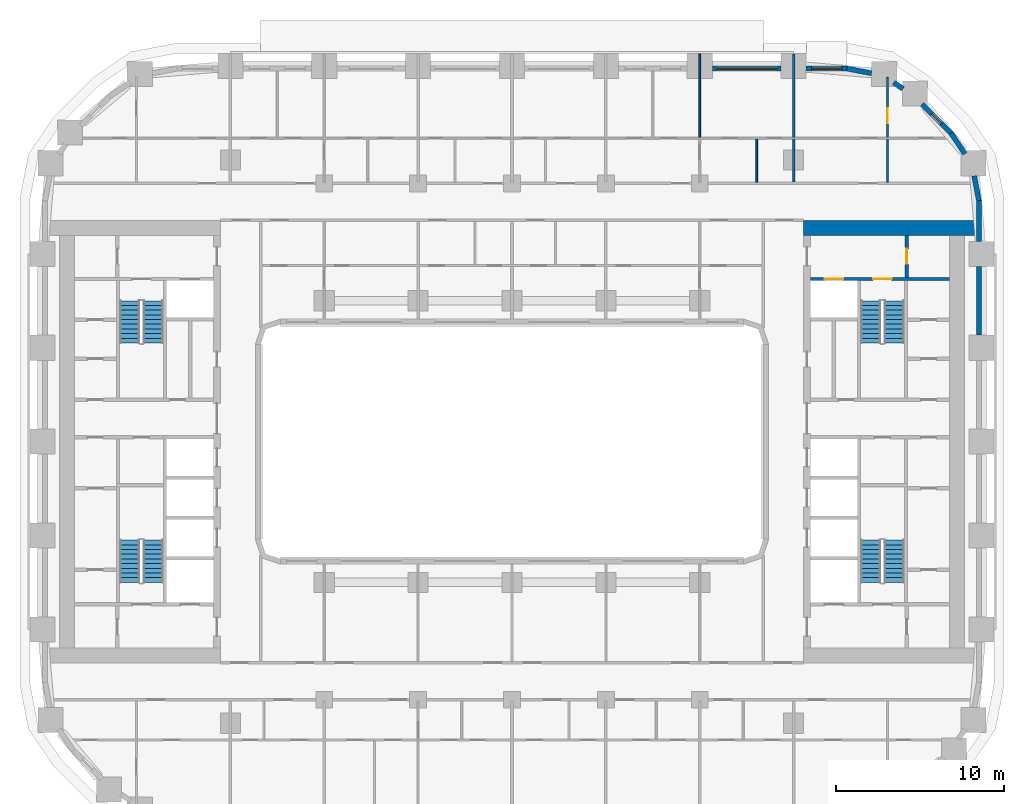
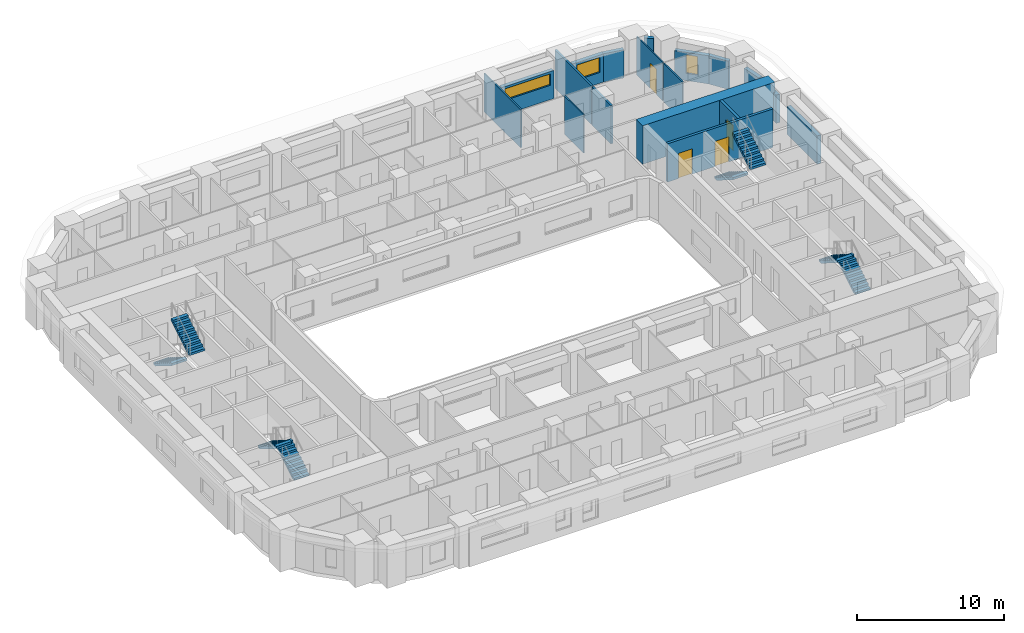
# One storey, part 10 of 21: 18 walls, 8 stair flights, 4 doors, 3 windows, 7 openings, 4 elements without a shape of their own.
"""IFC4 building model written with IfcOpenShell, lengths in metres."""

from ifc_helpers import new_model, si_unit, direction, frame, frame_2d, origin, place, context, subcontext, project, spatial, polyline, rectangle, outline, extrude, material, layer, layer_set, type_object, element, fill, aggregate, save


model = new_model("IFC4")

# Units and contexts
model_context = context("Model", 3, precision=1e-05, world=origin(), true_north=direction((0.0, 1.0)))
body_context = subcontext(model_context, "Body", "Model", "MODEL_VIEW")
ifc_project = project(units=[si_unit("LENGTHUNIT", "METRE"), si_unit("AREAUNIT", "SQUARE_METRE"), si_unit("VOLUMEUNIT", "CUBIC_METRE"), si_unit("PLANEANGLEUNIT", "RADIAN"), si_unit("MASSUNIT", "GRAM", prefix="KILO")], contexts=[model_context])

# Site, building, storey
site_placement = place(None, origin())
site = spatial("IfcSite", under=ifc_project, at=site_placement, CompositionType="ELEMENT")
building_placement = place(site_placement, origin())
building = spatial("IfcBuilding", under=site, at=building_placement, Name="Kiln Ring Residences", CompositionType="ELEMENT")
storey_placement = place(building_placement, frame((0.0, 0.0, 48.0)))
storey = spatial("IfcBuildingStorey", under=building, at=storey_placement, Name="L11", CompositionType="ELEMENT", Elevation=48.0)

# Wall, opening, door
ifc_material_1 = material(Name="Gypsum board on steel studs", Category="steel")
ifc_layer_1 = layer(ifc_material_1, 0.199951171875)
ifc_layer_set_1 = layer_set([ifc_layer_1], Name="CORE-PARTITION-200")
wall_type_1 = type_object("IfcWallType", Name="CORE-PARTITION-200", PredefinedType="PARTITIONING", material=ifc_layer_set_1)
wall_1_placement = place(storey_placement, frame((23.550048828125, 9.800048828125, 0.0), z_axis=(0.0, 0.0, 1.0), x_axis=(0.0, 1.0, 0.0)))
wall_1 = element("IfcWall", 1, at=wall_1_placement, inside=storey, type_object=wall_type_1, Name="Core partition east L11 4", PredefinedType="PARTITIONING", context=body_context, shape_type="SweptSolid", body=[
    extrude(rectangle(XDim=2.5, YDim=0.199951171875, at=frame_2d((1.25, 0.0))), origin(), (0.0, 0.0, 1.0), 3.199951171875),
])
opening_1_placement = place(wall_1_placement, frame((0.800048828125, 0.0, 0.0)))
opening_1 = element("IfcOpeningElement", 2, at=opening_1_placement, cuts=wall_1, Name="Opening L11-CE10", PredefinedType="OPENING", context=body_context, shape_type="SweptSolid", body=[
    extrude(rectangle(XDim=0.89990234375, YDim=2.10009765625, at=frame_2d((0.449951171875, 1.050048828125))), frame((0.0, 0.10986328125, 0.0), z_axis=(0.0, -1.0, 0.0), x_axis=(1.0, 0.0, 0.0)), (0.0, 0.0, 1.0), 0.219970703125),
])
ifc_material_2 = material(Name="Steel door leaf", Category="steel")
door_type_1 = type_object("IfcDoorType", Name="CORE-DOOR-ROOM", OperationType="SINGLE_SWING_LEFT", PredefinedType="DOOR", material=ifc_material_2)
door_1_placement = place(opening_1_placement, origin())
door_1 = element("IfcDoor", 3, at=door_1_placement, inside=storey, type_object=door_type_1, Name="Fire riser room L11-CE10", OperationType="SINGLE_SWING_LEFT", OverallHeight=2.10009765625, OverallWidth=0.89990234375, PredefinedType="DOOR", context=body_context, shape_type="SweptSolid", body=[
    extrude(rectangle(XDim=0.89990234375, YDim=2.10009765625, at=frame_2d((0.449951171875, 1.050048828125))), frame((0.0, 0.02490234375, 0.0), z_axis=(0.0, -1.0, 0.0), x_axis=(1.0, 0.0, 0.0)), (0.0, 0.0, 1.0), 0.050048828125),
])
fill(opening_1, door_1)

# Wall, openings, doors
ifc_material_3 = material(Name="Concrete C40/50", Category="concrete")
ifc_layer_2 = layer(ifc_material_3, 0.199951171875)
ifc_layer_set_2 = layer_set([ifc_layer_2], Name="CORE-WALL-RC200")
wall_type_2 = type_object("IfcWallType", Name="CORE-WALL-RC200", PredefinedType="SHEAR", material=ifc_layer_set_2)
wall_2_placement = place(storey_placement, frame((17.800048828125, 9.699951171875, 0.0), z_axis=(0.0, 0.0, 1.0), x_axis=(1.0, 0.0, 0.0)))
wall_2 = element("IfcWall", 4, at=wall_2_placement, inside=storey, type_object=wall_type_2, Name="Core wall east L11 9", PredefinedType="SHEAR", context=body_context, shape_type="SweptSolid", body=[
    extrude(rectangle(XDim=8.300048828125, YDim=0.199951171875, at=frame_2d((4.14990234375, 0.0))), origin(), (0.0, 0.0, 1.0), 3.199951171875),
])
opening_2_placement = place(wall_2_placement, frame((0.85009765625, 0.0, 0.0)))
opening_2 = element("IfcOpeningElement", 5, at=opening_2_placement, cuts=wall_2, Name="Opening L11-CE07", PredefinedType="OPENING", context=body_context, shape_type="SweptSolid", body=[
    extrude(rectangle(XDim=1.10009765625, YDim=2.10009765625, at=frame_2d((0.550048828125, 1.050048828125))), frame((0.0, 0.10986328125, 0.0), z_axis=(0.0, -1.0, 0.0), x_axis=(1.0, 0.0, 0.0)), (0.0, 0.0, 1.0), 0.219970703125),
])
opening_3_placement = place(wall_2_placement, frame((3.75, 0.0, 0.0)))
opening_3 = element("IfcOpeningElement", 6, at=opening_3_placement, cuts=wall_2, Name="Opening L11-CE12", PredefinedType="OPENING", context=body_context, shape_type="SweptSolid", body=[
    extrude(rectangle(XDim=1.10009765625, YDim=2.10009765625, at=frame_2d((0.550048828125, 1.050048828125))), frame((0.0, 0.10986328125, 0.0), z_axis=(0.0, -1.0, 0.0), x_axis=(1.0, 0.0, 0.0)), (0.0, 0.0, 1.0), 0.219970703125),
])
ifc_material_4 = material(Name="Steel door leaf", Category="steel")
door_type_2 = type_object("IfcDoorType", Name="CORE-DOOR-LD", OperationType="DOUBLE_DOOR_SLIDING", PredefinedType="DOOR", material=ifc_material_4)
door_2_placement = place(opening_2_placement, origin())
door_2 = element("IfcDoor", 7, at=door_2_placement, inside=storey, type_object=door_type_2, Name="LD E-FF L11-CE07", OperationType="DOUBLE_DOOR_SLIDING", OverallHeight=2.10009765625, OverallWidth=1.10009765625, PredefinedType="DOOR", context=body_context, shape_type="SweptSolid", body=[
    extrude(rectangle(XDim=1.10009765625, YDim=2.10009765625, at=frame_2d((0.550048828125, 1.050048828125))), frame((0.0, 0.02490234375, 0.0), z_axis=(0.0, -1.0, 0.0), x_axis=(1.0, 0.0, 0.0)), (0.0, 0.0, 1.0), 0.050048828125),
])
fill(opening_2, door_2)
ifc_material_5 = material(Name="Steel door leaf", Category="steel")
door_type_3 = type_object("IfcDoorType", Name="CORE-DOOR-STAIR", OperationType="SINGLE_SWING_LEFT", PredefinedType="DOOR", material=ifc_material_5)
door_3_placement = place(opening_3_placement, origin())
door_3 = element("IfcDoor", 8, at=door_3_placement, inside=storey, type_object=door_type_3, Name="Stair E-STN L11-CE12", OperationType="SINGLE_SWING_LEFT", OverallHeight=2.10009765625, OverallWidth=1.10009765625, PredefinedType="DOOR", context=body_context, shape_type="SweptSolid", body=[
    extrude(rectangle(XDim=1.10009765625, YDim=2.10009765625, at=frame_2d((0.550048828125, 1.050048828125))), frame((0.0, 0.02490234375, 0.0), z_axis=(0.0, -1.0, 0.0), x_axis=(1.0, 0.0, 0.0)), (0.0, 0.0, 1.0), 0.050048828125),
])
fill(opening_3, door_3)

# Walls
ifc_material_6 = material(Name="Concrete C60/75", Category="concrete")
ifc_layer_3 = layer(ifc_material_6, 0.89990234375)
ifc_layer_set_3 = layer_set([ifc_layer_3], Name="CORE-WALL-RC900")
wall_type_3 = type_object("IfcWallType", Name="CORE-WALL-RC900", PredefinedType="SHEAR", material=ifc_layer_set_3)
wall_3_placement = place(storey_placement, frame((17.39990234375, 12.75, 0.0), z_axis=(0.0, 0.0, 1.0), x_axis=(1.0, 0.0, 0.0)))
element("IfcWall", 9, at=wall_3_placement, inside=storey, type_object=wall_type_3, Name="Core wall east L11 4", PredefinedType="SHEAR", context=body_context, shape_type="SweptSolid", body=[
    extrude(rectangle(XDim=10.400146484375, YDim=0.89990234375, at=frame_2d((5.2001953125, 0.0))), origin(), (0.0, 0.0, 1.0), 3.199951171875),
])
ifc_material_7 = material(Name="Brick masonry, dark clay brick", Category="masonry")
ifc_layer_4 = layer(ifc_material_7, 0.300048828125)
ifc_layer_set_4 = layer_set([ifc_layer_4], Name="EW-300 BRICK WALL")
wall_type_4 = type_object("IfcWallType", Name="EW-300 BRICK WALL", PredefinedType="SOLIDWALL", material=ifc_layer_set_4)
wall_4_placement = place(storey_placement, frame((27.85009765625, 6.35009765625, 0.0), z_axis=(0.0, 0.0, 1.0), x_axis=(0.0, 1.0, 0.0)))
element("IfcWall", 10, at=wall_4_placement, inside=storey, type_object=wall_type_4, Name="Facade wall L11 21", PredefinedType="SOLIDWALL", context=body_context, shape_type="SweptSolid", body=[
    extrude(rectangle(XDim=4.099853515625, YDim=0.300048828125, at=frame_2d((2.0498046875, 0.0))), origin(), (0.0, 0.0, 1.0), 2.35009765625),
])
wall_5_placement = place(storey_placement, frame((27.85009765625, 11.949951171875, 0.0), z_axis=(0.0, 0.0, 1.0), x_axis=(0.0, 1.0, 0.0)))
element("IfcWall", 11, at=wall_5_placement, inside=storey, type_object=wall_type_4, Name="Facade wall L11 22", PredefinedType="SOLIDWALL", context=body_context, shape_type="SweptSolid", body=[
    extrude(rectangle(XDim=2.449951171875, YDim=0.300048828125, at=frame_2d((1.22509765625, 0.0))), origin(), (0.0, 0.0, 1.0), 2.35009765625),
])
for number, where, z_axis, x_axis, name in (
    (12, (27.8525390625, 14.371826171875, 0.0), (0.0, 0.0, 1.0), (-0.187223837635, 0.982317277982, 0.0), "Facade wall L11 23"),
    (13, (27.025390625, 17.1669921875, 0.0), (0.0, 0.0, 1.0), (-0.561973021955, 0.827155561303, 0.0), "Facade wall L11 24"),
):
    element("IfcWall", number, at=place(storey_placement, frame(where, z_axis=z_axis, x_axis=x_axis)), inside=storey, type_object=wall_type_4, Name=name, PredefinedType="SOLIDWALL", context=body_context, shape_type="SweptSolid", body=[
        extrude(rectangle(XDim=1.506103515625, YDim=0.300048828125, at=frame_2d((0.7529296875, 0.0))), origin(), (0.0, 0.0, 1.0), 2.35009765625),
    ])

# Wall, opening, window
wall_6_placement = place(storey_placement, frame((26.19677734375, 18.390869140625, 0.0), z_axis=(0.0, 0.0, 1.0), x_axis=(-0.707106781187, 0.707106781187, 0.0)))
wall_6 = element("IfcWall", 14, at=wall_6_placement, inside=storey, type_object=wall_type_4, Name="Facade wall L11 25", PredefinedType="SOLIDWALL", context=body_context, shape_type="SweptSolid", body=[
    extrude(rectangle(XDim=2.449951171875, YDim=0.300048828125, at=frame_2d((1.22509765625, 0.0))), origin(), (0.0, 0.0, 1.0), 2.35009765625),
])
opening_4_placement = place(wall_6_placement, frame((0.824951171875, 0.0, 0.60009765625)))
opening_4 = element("IfcOpeningElement", 15, at=opening_4_placement, cuts=wall_6, Name="Opening W5", PredefinedType="OPENING", context=body_context, shape_type="SweptSolid", body=[
    extrude(rectangle(XDim=0.800048828125, YDim=1.550048828125, at=frame_2d((0.39990234375, 0.77490234375))), frame((0.0, 0.159912109375, 0.0), z_axis=(0.0, -1.0, 0.0), x_axis=(1.0, 0.0, 0.0)), (0.0, 0.0, 1.0), 0.320068359375),
])
ifc_material_8 = material(Name="Aluminium frame with double glazing", Category="aluminium")
window_type_1 = type_object("IfcWindowType", Name="WINDOW 800 x 1550", PartitioningType="SINGLE_PANEL", PredefinedType="WINDOW", material=ifc_material_8)
window_1_placement = place(opening_4_placement, origin())
window_1 = element("IfcWindow", 16, at=window_1_placement, inside=storey, type_object=window_type_1, Name="Window L11 12", OverallHeight=1.550048828125, OverallWidth=0.800048828125, PartitioningType="SINGLE_PANEL", PredefinedType="WINDOW", context=body_context, shape_type="SweptSolid", body=[
    extrude(rectangle(XDim=0.800048828125, YDim=1.550048828125, at=frame_2d((0.39990234375, 0.77490234375))), frame((0.0, 0.030029296875, 0.0), z_axis=(0.0, -1.0, 0.0), x_axis=(1.0, 0.0, 0.0)), (0.0, 0.0, 1.0), 0.06005859375),
])
fill(opening_4, window_1)

# Walls
wall_7_placement = place(storey_placement, frame((23.3271484375, 21.044921875, 0.0), z_axis=(0.0, 0.0, 1.0), x_axis=(-0.827080706709, 0.562083182981, 0.0)))
element("IfcWall", 17, at=wall_7_placement, inside=storey, type_object=wall_type_4, Name="Facade wall L11 26", PredefinedType="SOLIDWALL", context=body_context, shape_type="SweptSolid", body=[
    extrude(rectangle(XDim=0.67724609375, YDim=0.300048828125, at=frame_2d((0.338623046875, 0.0))), origin(), (0.0, 0.0, 1.0), 3.199951171875),
])
wall_8_placement = place(storey_placement, frame((21.451416015625, 21.970458984375, 0.0), z_axis=(0.0, 0.0, 1.0), x_axis=(-0.982287454367, 0.187380247071, 0.0)))
element("IfcWall", 18, at=wall_8_placement, inside=storey, type_object=wall_type_4, Name="Facade wall L11 27", PredefinedType="SOLIDWALL", context=body_context, shape_type="SweptSolid", body=[
    extrude(rectangle(XDim=1.506103515625, YDim=0.300048828125, at=frame_2d((0.7529296875, 0.0))), origin(), (0.0, 0.0, 1.0), 2.35009765625),
])

# Wall, opening, window
wall_9_placement = place(storey_placement, frame((20.0, 22.25, 0.0), z_axis=(0.0, 0.0, 1.0), x_axis=(-1.0, 0.0, 0.0)))
wall_9 = element("IfcWall", 19, at=wall_9_placement, inside=storey, type_object=wall_type_4, Name="Facade wall L11 28", PredefinedType="SOLIDWALL", context=body_context, shape_type="SweptSolid", body=[
    extrude(rectangle(XDim=2.449951171875, YDim=0.300048828125, at=frame_2d((1.22509765625, 0.0))), origin(), (0.0, 0.0, 1.0), 2.35009765625),
])
opening_5_placement = place(wall_9_placement, frame((0.324951171875, 0.0, 0.89990234375)))
opening_5 = element("IfcOpeningElement", 20, at=opening_5_placement, cuts=wall_9, Name="Opening W2", PredefinedType="OPENING", context=body_context, shape_type="SweptSolid", body=[
    extrude(rectangle(XDim=1.800048828125, YDim=1.25, at=frame_2d((0.89990234375, 0.625))), frame((0.0, 0.159912109375, 0.0), z_axis=(0.0, -1.0, 0.0), x_axis=(1.0, 0.0, 0.0)), (0.0, 0.0, 1.0), 0.320068359375),
])
ifc_material_9 = material(Name="Aluminium frame with double glazing", Category="aluminium")
window_type_2 = type_object("IfcWindowType", Name="WINDOW 1800 x 1250", PartitioningType="SINGLE_PANEL", PredefinedType="WINDOW", material=ifc_material_9)
window_2_placement = place(opening_5_placement, origin())
window_2 = element("IfcWindow", 21, at=window_2_placement, inside=storey, type_object=window_type_2, Name="Window L11 13", OverallHeight=1.25, OverallWidth=1.800048828125, PartitioningType="SINGLE_PANEL", PredefinedType="WINDOW", context=body_context, shape_type="SweptSolid", body=[
    extrude(rectangle(XDim=1.800048828125, YDim=1.25, at=frame_2d((0.89990234375, 0.625))), frame((0.0, 0.030029296875, 0.0), z_axis=(0.0, -1.0, 0.0), x_axis=(1.0, 0.0, 0.0)), (0.0, 0.0, 1.0), 0.06005859375),
])
fill(opening_5, window_2)

wall_10_placement = place(storey_placement, frame((16.050048828125, 22.25, 0.0), z_axis=(0.0, 0.0, 1.0), x_axis=(-1.0, 0.0, 0.0)))
wall_10 = element("IfcWall", 22, at=wall_10_placement, inside=storey, type_object=wall_type_4, Name="Facade wall L11 29", PredefinedType="SOLIDWALL", context=body_context, shape_type="SweptSolid", body=[
    extrude(rectangle(XDim=4.10009765625, YDim=0.300048828125, at=frame_2d((2.050048828125, 0.0))), origin(), (0.0, 0.0, 1.0), 2.35009765625),
])
opening_6_placement = place(wall_10_placement, frame((0.25, 0.0, 1.199951171875)))
opening_6 = element("IfcOpeningElement", 23, at=opening_6_placement, cuts=wall_10, Name="Opening W4", PredefinedType="OPENING", context=body_context, shape_type="SweptSolid", body=[
    extrude(rectangle(XDim=3.60009765625, YDim=0.949951171875, at=frame_2d((1.800048828125, 0.47509765625))), frame((0.0, 0.159912109375, 0.0), z_axis=(0.0, -1.0, 0.0), x_axis=(1.0, 0.0, 0.0)), (0.0, 0.0, 1.0), 0.320068359375),
])
ifc_material_10 = material(Name="Aluminium frame with double glazing", Category="aluminium")
window_type_3 = type_object("IfcWindowType", Name="WINDOW 3600 x 950", PartitioningType="SINGLE_PANEL", PredefinedType="WINDOW", material=ifc_material_10)
window_3_placement = place(opening_6_placement, origin())
window_3 = element("IfcWindow", 24, at=window_3_placement, inside=storey, type_object=window_type_3, Name="Window L11 14", OverallHeight=0.949951171875, OverallWidth=3.60009765625, PartitioningType="SINGLE_PANEL", PredefinedType="WINDOW", context=body_context, shape_type="SweptSolid", body=[
    extrude(rectangle(XDim=3.60009765625, YDim=0.949951171875, at=frame_2d((1.800048828125, 0.47509765625))), frame((0.0, 0.030029296875, 0.0), z_axis=(0.0, -1.0, 0.0), x_axis=(1.0, 0.0, 0.0)), (0.0, 0.0, 1.0), 0.06005859375),
])
fill(opening_6, window_3)

# Walls
ifc_material_11 = material(Name="Gypsum board on steel studs", Category="steel")
ifc_layer_5 = layer(ifc_material_11, 0.10009765625)
ifc_layer_set_5 = layer_set([ifc_layer_5], Name="PARTITION-100")
wall_type_5 = type_object("IfcWallType", Name="PARTITION-100", PredefinedType="PARTITIONING", material=ifc_layer_set_5)
wall_11_placement = place(storey_placement, frame((11.199951171875, 18.14990234375, 0.0), z_axis=(0.0, 0.0, 1.0), x_axis=(0.0, 1.0, 0.0)))
element("IfcWall", 25, at=wall_11_placement, inside=storey, type_object=wall_type_5, Name="Partition 061", PredefinedType="PARTITIONING", context=body_context, shape_type="SweptSolid", body=[
    extrude(rectangle(XDim=4.97998046875, YDim=0.10009765625, at=frame_2d((2.489990234375, 0.0))), origin(), (0.0, 0.0, 1.0), 3.199951171875),
])
for number, where, z_axis, x_axis, name in (
    (26, (14.60009765625, 15.47509765625, 0.0), (0.0, 0.0, 1.0), (0.0, 1.0, 0.0), "Partition 065"),
    (27, (22.39990234375, 15.47509765625, 0.0), (0.0, 0.0, 1.0), (0.0, 1.0, 0.0), "Partition 074"),
):
    element("IfcWall", number, at=place(storey_placement, frame(where, z_axis=z_axis, x_axis=x_axis)), inside=storey, type_object=wall_type_5, Name=name, PredefinedType="PARTITIONING", context=body_context, shape_type="SweptSolid", body=[
        extrude(rectangle(XDim=2.574951171875, YDim=0.10009765625, at=frame_2d((1.28759765625, 0.0))), origin(), (0.0, 0.0, 1.0), 3.199951171875),
    ])

# Wall, opening, door
wall_12_placement = place(storey_placement, frame((22.39990234375, 18.14990234375, 0.0), z_axis=(0.0, 0.0, 1.0), x_axis=(0.0, 1.0, 0.0)))
wall_12 = element("IfcWall", 28, at=wall_12_placement, inside=storey, type_object=wall_type_5, Name="Partition 075", PredefinedType="PARTITIONING", context=body_context, shape_type="SweptSolid", body=[
    extrude(rectangle(XDim=3.570068359375, YDim=0.10009765625, at=frame_2d((1.78515625, 0.0))), origin(), (0.0, 0.0, 1.0), 3.199951171875),
])
opening_7_placement = place(wall_12_placement, frame((0.85009765625, 0.0, 0.0)))
opening_7 = element("IfcOpeningElement", 29, at=opening_7_placement, cuts=wall_12, Name="Opening L11-D044", PredefinedType="OPENING", context=body_context, shape_type="SweptSolid", body=[
    extrude(rectangle(XDim=0.89990234375, YDim=2.10009765625, at=frame_2d((0.449951171875, 1.050048828125))), frame((0.0, 0.06005859375, 0.0), z_axis=(0.0, -1.0, 0.0), x_axis=(1.0, 0.0, 0.0)), (0.0, 0.0, 1.0), 0.1201171875),
])
ifc_material_12 = material(Name="Timber door leaf", Category="wood")
door_type_4 = type_object("IfcDoorType", Name="FLAT-DOOR-900-PL", OperationType="SINGLE_SWING_LEFT", PredefinedType="DOOR", material=ifc_material_12)
door_4_placement = place(opening_7_placement, origin())
door_4 = element("IfcDoor", 30, at=door_4_placement, inside=storey, type_object=door_type_4, Name="Door L11-D044", OperationType="SINGLE_SWING_LEFT", OverallHeight=2.10009765625, OverallWidth=0.89990234375, PredefinedType="DOOR", context=body_context, shape_type="SweptSolid", body=[
    extrude(rectangle(XDim=0.89990234375, YDim=2.10009765625, at=frame_2d((0.449951171875, 1.050048828125))), frame((0.0, 0.02490234375, 0.0), z_axis=(0.0, -1.0, 0.0), x_axis=(1.0, 0.0, 0.0)), (0.0, 0.0, 1.0), 0.050048828125),
])
fill(opening_7, door_4)

# Walls
ifc_material_13 = material(Name="Brick masonry partition", Category="masonry")
ifc_layer_6 = layer(ifc_material_13, 0.14990234375)
ifc_layer_set_6 = layer_set([ifc_layer_6], Name="PARTITION-150-ei60")
wall_type_6 = type_object("IfcWallType", Name="PARTITION-150-ei60", PredefinedType="PARTITIONING", material=ifc_layer_set_6)
wall_13_placement = place(storey_placement, frame((16.800048828125, 15.47509765625, 0.0), z_axis=(0.0, 0.0, 1.0), x_axis=(0.0, 1.0, 0.0)))
element("IfcWall", 31, at=wall_13_placement, inside=storey, type_object=wall_type_6, Name="Partition 070", PredefinedType="PARTITIONING", context=body_context, shape_type="SweptSolid", body=[
    extrude(rectangle(XDim=2.574951171875, YDim=0.14990234375, at=frame_2d((1.28759765625, 0.0))), origin(), (0.0, 0.0, 1.0), 3.199951171875),
])
wall_14_placement = place(storey_placement, frame((16.800048828125, 18.14990234375, 0.0), z_axis=(0.0, 0.0, 1.0), x_axis=(0.0, 1.0, 0.0)))
element("IfcWall", 32, at=wall_14_placement, inside=storey, type_object=wall_type_6, Name="Partition 071", PredefinedType="PARTITIONING", context=body_context, shape_type="SweptSolid", body=[
    extrude(rectangle(XDim=4.97998046875, YDim=0.14990234375, at=frame_2d((2.489990234375, 0.0))), origin(), (0.0, 0.0, 1.0), 3.199951171875),
])

# Stair, stair flights
ifc_material_14 = material(Name="Concrete C40/50", Category="concrete")
stair_type = type_object("IfcStairType", Name="CORE-STAIR", PredefinedType="HALF_TURN_STAIR", material=ifc_material_14)
placement = place(storey_placement, origin())
stair_1 = element("IfcStair", 33, at=placement, inside=storey, type_object=stair_type, Name="L11 stair W-STN", PredefinedType="HALF_TURN_STAIR")
ifc_material_15 = material(Name="Concrete C40/50", Category="concrete")
stair_flight_type = type_object("IfcStairFlightType", Name="CORE-STAIR-FLIGHT", PredefinedType="STRAIGHT", material=ifc_material_15)
stair_flight_1_placement = place(storey_placement, frame((-22.800048828125, 8.39990234375, 0.0), z_axis=(0.0, 0.0, 1.0), x_axis=(0.0, -1.0, 0.0)))
stair_flight_1 = element("IfcStairFlight", 34, at=stair_flight_1_placement, type_object=stair_flight_type, Name="W-STN flight 1", NumberOfRisers=10, NumberOfTreads=9, PredefinedType="STRAIGHT", RiserHeight=0.175, TreadLength=0.28, context=body_context, shape_type="SweptSolid", body=[
    extrude(outline(polyline([(0.0, 0.0), (0.0, 0.175048828125), (0.280029296875, 0.175048828125), (0.280029296875, 0.35009765625), (0.56005859375, 0.35009765625), (0.56005859375, 0.52490234375), (0.840087890625, 0.52490234375), (0.840087890625, 0.699951171875), (1.1201171875, 0.699951171875), (1.1201171875, 0.875), (1.39990234375, 0.875), (1.39990234375, 1.050048828125), (1.679931640625, 1.050048828125), (1.679931640625, 1.22509765625), (1.9599609375, 1.22509765625), (1.9599609375, 1.39990234375), (2.239990234375, 1.39990234375), (2.239990234375, 1.574951171875), (2.52001953125, 1.574951171875), (2.52001953125, 1.75), (2.52001953125, 1.398193359375), (0.28271484375, 0.0), (0.0, 0.0)])), frame((0.0, 0.60009765625, 0.0), z_axis=(0.0, -1.0, 0.0), x_axis=(1.0, 0.0, 0.0)), (0.0, 0.0, 1.0), 1.199951171875),
])
stair_flight_2_placement = place(storey_placement, frame((-21.39990234375, 5.8798828125, 1.75), z_axis=(0.0, 0.0, 1.0), x_axis=(0.0, 1.0, 0.0)))
stair_flight_2 = element("IfcStairFlight", 35, at=stair_flight_2_placement, type_object=stair_flight_type, Name="W-STN flight 2", NumberOfRisers=10, NumberOfTreads=9, PredefinedType="STRAIGHT", RiserHeight=0.175, TreadLength=0.28, context=body_context, shape_type="SweptSolid", body=[
    extrude(outline(polyline([(0.0, 0.0), (0.0, 0.175048828125), (0.280029296875, 0.175048828125), (0.280029296875, 0.35009765625), (0.56005859375, 0.35009765625), (0.56005859375, 0.52490234375), (0.840087890625, 0.52490234375), (0.840087890625, 0.699951171875), (1.1201171875, 0.699951171875), (1.1201171875, 0.875), (1.39990234375, 0.875), (1.39990234375, 1.050048828125), (1.679931640625, 1.050048828125), (1.679931640625, 1.22509765625), (1.9599609375, 1.22509765625), (1.9599609375, 1.39990234375), (2.239990234375, 1.39990234375), (2.239990234375, 1.574951171875), (2.52001953125, 1.574951171875), (2.52001953125, 1.75), (2.52001953125, 1.398193359375), (0.28271484375, 0.0), (0.0, 0.0)])), frame((0.0, 0.60009765625, 0.0), z_axis=(0.0, -1.0, 0.0), x_axis=(1.0, 0.0, 0.0)), (0.0, 0.0, 1.0), 1.199951171875),
])
aggregate(stair_1, [stair_flight_1, stair_flight_2])

stair_2 = element("IfcStair", 36, at=placement, inside=storey, type_object=stair_type, Name="L11 stair W-STS", PredefinedType="HALF_TURN_STAIR")
stair_flight_3_placement = place(storey_placement, frame((-21.39990234375, -8.39990234375, 0.0), z_axis=(0.0, 0.0, 1.0), x_axis=(0.0, 1.0, 0.0)))
stair_flight_3 = element("IfcStairFlight", 37, at=stair_flight_3_placement, type_object=stair_flight_type, Name="W-STS flight 1", NumberOfRisers=10, NumberOfTreads=9, PredefinedType="STRAIGHT", RiserHeight=0.175, TreadLength=0.28, context=body_context, shape_type="SweptSolid", body=[
    extrude(outline(polyline([(0.0, 0.0), (0.0, 0.175048828125), (0.280029296875, 0.175048828125), (0.280029296875, 0.35009765625), (0.56005859375, 0.35009765625), (0.56005859375, 0.52490234375), (0.840087890625, 0.52490234375), (0.840087890625, 0.699951171875), (1.1201171875, 0.699951171875), (1.1201171875, 0.875), (1.39990234375, 0.875), (1.39990234375, 1.050048828125), (1.679931640625, 1.050048828125), (1.679931640625, 1.22509765625), (1.9599609375, 1.22509765625), (1.9599609375, 1.39990234375), (2.239990234375, 1.39990234375), (2.239990234375, 1.574951171875), (2.52001953125, 1.574951171875), (2.52001953125, 1.75), (2.52001953125, 1.398193359375), (0.28271484375, 0.0), (0.0, 0.0)])), frame((0.0, 0.60009765625, 0.0), z_axis=(0.0, -1.0, 0.0), x_axis=(1.0, 0.0, 0.0)), (0.0, 0.0, 1.0), 1.199951171875),
])
stair_flight_4_placement = place(storey_placement, frame((-22.800048828125, -5.8798828125, 1.75), z_axis=(0.0, 0.0, 1.0), x_axis=(0.0, -1.0, 0.0)))
stair_flight_4 = element("IfcStairFlight", 38, at=stair_flight_4_placement, type_object=stair_flight_type, Name="W-STS flight 2", NumberOfRisers=10, NumberOfTreads=9, PredefinedType="STRAIGHT", RiserHeight=0.175, TreadLength=0.28, context=body_context, shape_type="SweptSolid", body=[
    extrude(outline(polyline([(0.0, 0.0), (0.0, 0.175048828125), (0.280029296875, 0.175048828125), (0.280029296875, 0.35009765625), (0.56005859375, 0.35009765625), (0.56005859375, 0.52490234375), (0.840087890625, 0.52490234375), (0.840087890625, 0.699951171875), (1.1201171875, 0.699951171875), (1.1201171875, 0.875), (1.39990234375, 0.875), (1.39990234375, 1.050048828125), (1.679931640625, 1.050048828125), (1.679931640625, 1.22509765625), (1.9599609375, 1.22509765625), (1.9599609375, 1.39990234375), (2.239990234375, 1.39990234375), (2.239990234375, 1.574951171875), (2.52001953125, 1.574951171875), (2.52001953125, 1.75), (2.52001953125, 1.398193359375), (0.28271484375, 0.0), (0.0, 0.0)])), frame((0.0, 0.60009765625, 0.0), z_axis=(0.0, -1.0, 0.0), x_axis=(1.0, 0.0, 0.0)), (0.0, 0.0, 1.0), 1.199951171875),
])
aggregate(stair_2, [stair_flight_3, stair_flight_4])

stair_3 = element("IfcStair", 39, at=placement, inside=storey, type_object=stair_type, Name="L11 stair E-STN", PredefinedType="HALF_TURN_STAIR")
stair_flight_5_placement = place(storey_placement, frame((21.39990234375, 8.39990234375, 0.0), z_axis=(0.0, 0.0, 1.0), x_axis=(0.0, -1.0, 0.0)))
stair_flight_5 = element("IfcStairFlight", 40, at=stair_flight_5_placement, type_object=stair_flight_type, Name="E-STN flight 1", NumberOfRisers=10, NumberOfTreads=9, PredefinedType="STRAIGHT", RiserHeight=0.175, TreadLength=0.28, context=body_context, shape_type="SweptSolid", body=[
    extrude(outline(polyline([(0.0, 0.0), (0.0, 0.175048828125), (0.280029296875, 0.175048828125), (0.280029296875, 0.35009765625), (0.56005859375, 0.35009765625), (0.56005859375, 0.52490234375), (0.840087890625, 0.52490234375), (0.840087890625, 0.699951171875), (1.1201171875, 0.699951171875), (1.1201171875, 0.875), (1.39990234375, 0.875), (1.39990234375, 1.050048828125), (1.679931640625, 1.050048828125), (1.679931640625, 1.22509765625), (1.9599609375, 1.22509765625), (1.9599609375, 1.39990234375), (2.239990234375, 1.39990234375), (2.239990234375, 1.574951171875), (2.52001953125, 1.574951171875), (2.52001953125, 1.75), (2.52001953125, 1.398193359375), (0.28271484375, 0.0), (0.0, 0.0)])), frame((0.0, 0.60009765625, 0.0), z_axis=(0.0, -1.0, 0.0), x_axis=(1.0, 0.0, 0.0)), (0.0, 0.0, 1.0), 1.199951171875),
])
stair_flight_6_placement = place(storey_placement, frame((22.800048828125, 5.8798828125, 1.75), z_axis=(0.0, 0.0, 1.0), x_axis=(0.0, 1.0, 0.0)))
stair_flight_6 = element("IfcStairFlight", 41, at=stair_flight_6_placement, type_object=stair_flight_type, Name="E-STN flight 2", NumberOfRisers=10, NumberOfTreads=9, PredefinedType="STRAIGHT", RiserHeight=0.175, TreadLength=0.28, context=body_context, shape_type="SweptSolid", body=[
    extrude(outline(polyline([(0.0, 0.0), (0.0, 0.175048828125), (0.280029296875, 0.175048828125), (0.280029296875, 0.35009765625), (0.56005859375, 0.35009765625), (0.56005859375, 0.52490234375), (0.840087890625, 0.52490234375), (0.840087890625, 0.699951171875), (1.1201171875, 0.699951171875), (1.1201171875, 0.875), (1.39990234375, 0.875), (1.39990234375, 1.050048828125), (1.679931640625, 1.050048828125), (1.679931640625, 1.22509765625), (1.9599609375, 1.22509765625), (1.9599609375, 1.39990234375), (2.239990234375, 1.39990234375), (2.239990234375, 1.574951171875), (2.52001953125, 1.574951171875), (2.52001953125, 1.75), (2.52001953125, 1.398193359375), (0.28271484375, 0.0), (0.0, 0.0)])), frame((0.0, 0.60009765625, 0.0), z_axis=(0.0, -1.0, 0.0), x_axis=(1.0, 0.0, 0.0)), (0.0, 0.0, 1.0), 1.199951171875),
])
aggregate(stair_3, [stair_flight_5, stair_flight_6])

stair_4 = element("IfcStair", 42, at=placement, inside=storey, type_object=stair_type, Name="L11 stair E-STS", PredefinedType="HALF_TURN_STAIR")
stair_flight_7_placement = place(storey_placement, frame((22.800048828125, -8.39990234375, 0.0), z_axis=(0.0, 0.0, 1.0), x_axis=(0.0, 1.0, 0.0)))
stair_flight_7 = element("IfcStairFlight", 43, at=stair_flight_7_placement, type_object=stair_flight_type, Name="E-STS flight 1", NumberOfRisers=10, NumberOfTreads=9, PredefinedType="STRAIGHT", RiserHeight=0.175, TreadLength=0.28, context=body_context, shape_type="SweptSolid", body=[
    extrude(outline(polyline([(0.0, 0.0), (0.0, 0.175048828125), (0.280029296875, 0.175048828125), (0.280029296875, 0.35009765625), (0.56005859375, 0.35009765625), (0.56005859375, 0.52490234375), (0.840087890625, 0.52490234375), (0.840087890625, 0.699951171875), (1.1201171875, 0.699951171875), (1.1201171875, 0.875), (1.39990234375, 0.875), (1.39990234375, 1.050048828125), (1.679931640625, 1.050048828125), (1.679931640625, 1.22509765625), (1.9599609375, 1.22509765625), (1.9599609375, 1.39990234375), (2.239990234375, 1.39990234375), (2.239990234375, 1.574951171875), (2.52001953125, 1.574951171875), (2.52001953125, 1.75), (2.52001953125, 1.398193359375), (0.28271484375, 0.0), (0.0, 0.0)])), frame((0.0, 0.60009765625, 0.0), z_axis=(0.0, -1.0, 0.0), x_axis=(1.0, 0.0, 0.0)), (0.0, 0.0, 1.0), 1.199951171875),
])
stair_flight_8_placement = place(storey_placement, frame((21.39990234375, -5.8798828125, 1.75), z_axis=(0.0, 0.0, 1.0), x_axis=(0.0, -1.0, 0.0)))
stair_flight_8 = element("IfcStairFlight", 44, at=stair_flight_8_placement, type_object=stair_flight_type, Name="E-STS flight 2", NumberOfRisers=10, NumberOfTreads=9, PredefinedType="STRAIGHT", RiserHeight=0.175, TreadLength=0.28, context=body_context, shape_type="SweptSolid", body=[
    extrude(outline(polyline([(0.0, 0.0), (0.0, 0.175048828125), (0.280029296875, 0.175048828125), (0.280029296875, 0.35009765625), (0.56005859375, 0.35009765625), (0.56005859375, 0.52490234375), (0.840087890625, 0.52490234375), (0.840087890625, 0.699951171875), (1.1201171875, 0.699951171875), (1.1201171875, 0.875), (1.39990234375, 0.875), (1.39990234375, 1.050048828125), (1.679931640625, 1.050048828125), (1.679931640625, 1.22509765625), (1.9599609375, 1.22509765625), (1.9599609375, 1.39990234375), (2.239990234375, 1.39990234375), (2.239990234375, 1.574951171875), (2.52001953125, 1.574951171875), (2.52001953125, 1.75), (2.52001953125, 1.398193359375), (0.28271484375, 0.0), (0.0, 0.0)])), frame((0.0, 0.60009765625, 0.0), z_axis=(0.0, -1.0, 0.0), x_axis=(1.0, 0.0, 0.0)), (0.0, 0.0, 1.0), 1.199951171875),
])
aggregate(stair_4, [stair_flight_7, stair_flight_8])

save(model, "model.ifc")
